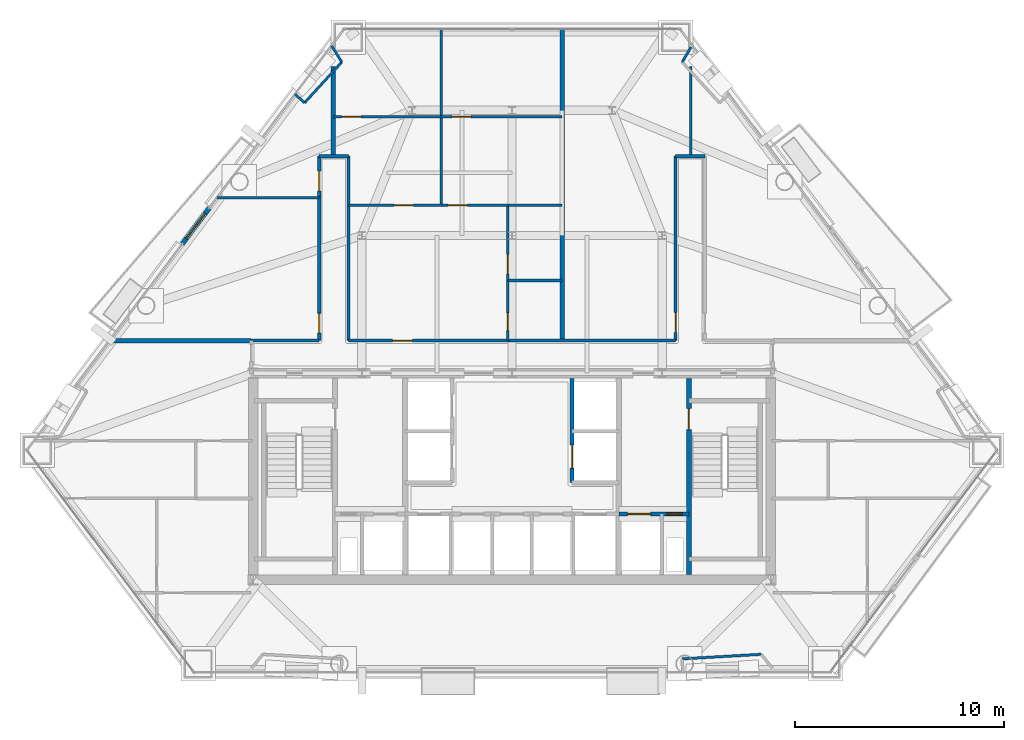
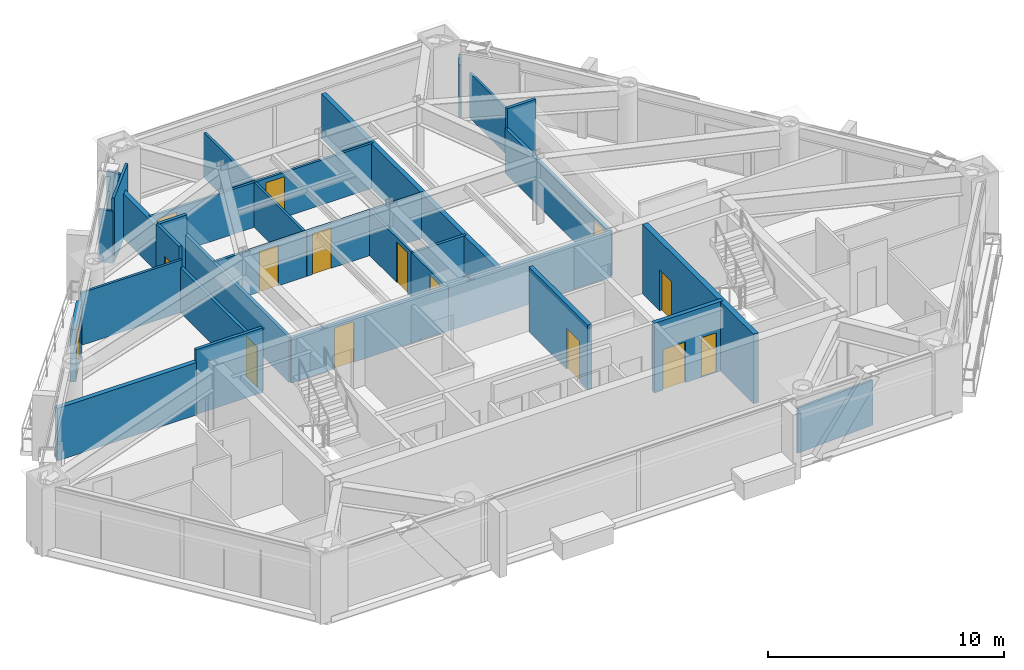
# One storey, part 7 of 10: 32 walls, 15 doors, 15 openings.
"""IFC4 building model written with IfcOpenShell, lengths in metres."""

from ifc_helpers import new_model, si_unit, direction, frame, frame_2d, origin, place, context, subcontext, project, spatial, rectangle, extrude, material, layer, layer_set, type_object, element, fill, save


model = new_model("IFC4")

# Units and contexts
model_context = context("Model", 3, precision=1e-05, world=origin(), true_north=direction((0.0, 1.0)))
body_context = subcontext(model_context, "Body", "Model", "MODEL_VIEW")
ifc_project = project(units=[si_unit("LENGTHUNIT", "METRE"), si_unit("AREAUNIT", "SQUARE_METRE"), si_unit("VOLUMEUNIT", "CUBIC_METRE"), si_unit("PLANEANGLEUNIT", "RADIAN"), si_unit("MASSUNIT", "GRAM", prefix="KILO")], contexts=[model_context])

# Site, building, storey
site_placement = place(None, origin())
site = spatial("IfcSite", under=ifc_project, at=site_placement, CompositionType="ELEMENT")
building_placement = place(site_placement, origin())
building = spatial("IfcBuilding", under=site, at=building_placement, Name="Talgorran Terracotta Tower", CompositionType="ELEMENT")
storey_placement = place(building_placement, frame((0.0, 0.0, 49.5)))
storey = spatial("IfcBuildingStorey", under=building, at=storey_placement, Name="L12", CompositionType="ELEMENT", Elevation=49.5)

# Wall, opening, door
ifc_material_1 = material(Name="Concrete C40/50", Category="concrete")
ifc_layer_1 = layer(ifc_material_1, 0.239990234375, Name="WT_BALCONY_SPAND")
ifc_layer_set_1 = layer_set([ifc_layer_1], Name="Concrete C40/50")
wall_type_1 = type_object("IfcWallType", Name="WT_BALCONY_SPAND", PredefinedType="STANDARD", material=ifc_layer_set_1)
wall_1_placement = place(storey_placement, frame((-14.518310546875, 3.71337890625, -0.014892578125), z_axis=(0.0, 0.0, 1.0), x_axis=(-0.601696267697, -0.79872498486, 0.0)))
wall_1 = element("IfcWall", 1, at=wall_1_placement, inside=storey, type_object=wall_type_1, Name="WL-L12-BALP-BAL-NW", PredefinedType="STANDARD", context=body_context, shape_type="SweptSolid", body=[
    extrude(rectangle(XDim=2.139892578125, YDim=0.239990234375, at=frame_2d((1.06982421875, 0.0))), origin(), (0.0, 0.0, 1.0), 2.728271484375),
])
opening_1_placement = place(wall_1_placement, frame((0.320068359375, 0.0, 0.014892578125)))
opening_1 = element("IfcOpeningElement", 2, at=opening_1_placement, cuts=wall_1, Name="Opening D-BAL-L12-2", PredefinedType="OPENING", context=body_context, shape_type="SweptSolid", body=[
    extrude(rectangle(XDim=1.506, YDim=2.203951171875, at=frame_2d((0.75, 1.10205078125))), frame((0.0, 0.1298828125, 0.0), z_axis=(0.0, -1.0, 0.0), x_axis=(1.0, 0.0, 0.0)), (0.0, 0.0, 1.0), 0.260009765625),
])
ifc_material_2 = material(Name="Thermally Broken Aluminium", Category="aluminium")
door_type_1 = type_object("IfcDoorType", Name="DT_BALC_1500", OperationType="SLIDING_TO_RIGHT", PredefinedType="DOOR", material=ifc_material_2)
door_1_placement = place(opening_1_placement, origin())
door_1 = element("IfcDoor", 3, at=door_1_placement, inside=storey, type_object=door_type_1, Name="DR-L12-BAL-BAL-NW", OperationType="SLIDING_TO_RIGHT", OverallHeight=2.199951171875, OverallWidth=1.5, PredefinedType="DOOR", context=body_context, shape_type="SweptSolid", body=[
    extrude(rectangle(XDim=1.5, YDim=2.199951171875, at=frame_2d((0.75, 1.10009765625))), frame((0.0, 0.02490234375, 0.0), z_axis=(0.0, -1.0, 0.0), x_axis=(1.0, 0.0, 0.0)), (0.0, 0.0, 1.0), 0.050048828125),
])
fill(opening_1, door_1)

# Wall, openings, doors
ifc_material_3 = material(Name="Concrete C50/60", Category="concrete")
ifc_layer_2 = layer(ifc_material_3, 0.199951171875, Name="WT_CORE_200")
ifc_layer_set_2 = layer_set([ifc_layer_2], Name="Concrete C50/60")
wall_type_2 = type_object("IfcWallType", Name="WT_CORE_200", PredefinedType="SOLIDWALL", material=ifc_layer_set_2)
wall_2_placement = place(storey_placement, frame((5.1201171875, -10.949951171875, 0.0), z_axis=(0.0, 0.0, 1.0), x_axis=(1.0, 0.0, 0.0)))
wall_2 = element("IfcWall", 4, at=wall_2_placement, inside=storey, type_object=wall_type_2, Name="WL-L12-CW-H-SBE", PredefinedType="SOLIDWALL", context=body_context, shape_type="SweptSolid", body=[
    extrude(rectangle(XDim=3.35986328125, YDim=0.199951171875, at=frame_2d((1.679931640625, 0.0))), origin(), (0.0, 0.0, 1.0), 3.60009765625),
])
opening_2_placement = place(wall_2_placement, frame((0.419921875, 0.0, 0.0)))
opening_2 = element("IfcOpeningElement", 5, at=opening_2_placement, cuts=wall_2, Name="Opening LD-FFL2", PredefinedType="OPENING", context=body_context, shape_type="SweptSolid", body=[
    extrude(rectangle(XDim=1.10609765625, YDim=2.10409765625, at=frame_2d((0.550048828125, 1.052001953125))), frame((0.0, 0.10986328125, 0.0), z_axis=(0.0, -1.0, 0.0), x_axis=(1.0, 0.0, 0.0)), (0.0, 0.0, 1.0), 0.219970703125),
])
opening_3_placement = place(wall_2_placement, frame((2.300048828125, 0.0, 0.0)))
opening_3 = element("IfcOpeningElement", 6, at=opening_3_placement, cuts=wall_2, Name="Opening DR-RSE", PredefinedType="OPENING", context=body_context, shape_type="SweptSolid", body=[
    extrude(rectangle(XDim=0.756, YDim=2.054048828125, at=frame_2d((0.375, 1.027099609375))), frame((0.0, 0.10986328125, 0.0), z_axis=(0.0, -1.0, 0.0), x_axis=(1.0, 0.0, 0.0)), (0.0, 0.0, 1.0), 0.219970703125),
])
ifc_material_4 = material(Name="Brushed Stainless Steel Grade 304", Category="steel")
door_type_2 = type_object("IfcDoorType", Name="DT_LIFT_LD1100", OperationType="DOUBLE_DOOR_SLIDING", PredefinedType="DOOR", material=ifc_material_4)
door_2_placement = place(opening_2_placement, origin())
door_2 = element("IfcDoor", 7, at=door_2_placement, inside=storey, type_object=door_type_2, Name="L12 Lift Landing Door LD-FFL2", OperationType="DOUBLE_DOOR_SLIDING", OverallHeight=2.10009765625, OverallWidth=1.10009765625, PredefinedType="DOOR", context=body_context, shape_type="SweptSolid", body=[
    extrude(rectangle(XDim=1.10009765625, YDim=2.10009765625, at=frame_2d((0.550048828125, 1.050048828125))), frame((0.0, 0.02490234375, 0.0), z_axis=(0.0, -1.0, 0.0), x_axis=(1.0, 0.0, 0.0)), (0.0, 0.0, 1.0), 0.050048828125),
])
fill(opening_2, door_2)
ifc_material_5 = material(Name="Fire-Rated Pressed Steel", Category="steel")
door_type_3 = type_object("IfcDoorType", Name="DT_RISER_750", OperationType="NOTDEFINED", PredefinedType="DOOR", material=ifc_material_5)
door_3_placement = place(opening_3_placement, origin())
door_3 = element("IfcDoor", 8, at=door_3_placement, inside=storey, type_object=door_type_3, Name="DR-RSE", OperationType="SINGLE_SWING_RIGHT", OverallHeight=2.050048828125, OverallWidth=0.75, PredefinedType="DOOR", context=body_context, shape_type="SweptSolid", body=[
    extrude(rectangle(XDim=0.75, YDim=2.050048828125, at=frame_2d((0.375, 1.02490234375))), frame((0.0, 0.02490234375, 0.0), z_axis=(0.0, -1.0, 0.0), x_axis=(1.0, 0.0, 0.0)), (0.0, 0.0, 1.0), 0.050048828125),
])
fill(opening_3, door_3)

# Wall, opening, door
wall_3_placement = place(storey_placement, frame((2.8798828125, -9.449951171875, 0.0), z_axis=(0.0, 0.0, 1.0), x_axis=(0.0, 1.0, 0.0)))
wall_3 = element("IfcWall", 9, at=wall_3_placement, inside=storey, type_object=wall_type_2, Name="WL-L12-CW-V-E3", PredefinedType="SOLIDWALL", context=body_context, shape_type="SweptSolid", body=[
    extrude(rectangle(XDim=5.0, YDim=0.199951171875, at=frame_2d((2.5, 0.0))), origin(), (0.0, 0.0, 1.0), 3.35009765625),
])
opening_4_placement = place(wall_3_placement, frame((0.699951171875, 0.0, 0.0)))
opening_4 = element("IfcOpeningElement", 10, at=opening_4_placement, cuts=wall_3, Name="Opening LD-PLM1", PredefinedType="OPENING", context=body_context, shape_type="SweptSolid", body=[
    extrude(rectangle(XDim=1.10609765625, YDim=2.10409765625, at=frame_2d((0.550048828125, 1.052001953125))), frame((0.0, 0.10986328125, 0.0), z_axis=(0.0, -1.0, 0.0), x_axis=(1.0, 0.0, 0.0)), (0.0, 0.0, 1.0), 0.219970703125),
])
door_4_placement = place(opening_4_placement, origin())
door_4 = element("IfcDoor", 11, at=door_4_placement, inside=storey, type_object=door_type_2, Name="L12 Lift Landing Door LD-PLM1", OperationType="DOUBLE_DOOR_SLIDING", OverallHeight=2.10009765625, OverallWidth=1.10009765625, PredefinedType="DOOR", context=body_context, shape_type="SweptSolid", body=[
    extrude(rectangle(XDim=1.10009765625, YDim=2.10009765625, at=frame_2d((0.550048828125, 1.050048828125))), frame((0.0, 0.02490234375, 0.0), z_axis=(0.0, -1.0, 0.0), x_axis=(1.0, 0.0, 0.0)), (0.0, 0.0, 1.0), 0.050048828125),
])
fill(opening_4, door_4)

ifc_layer_3 = layer(ifc_material_3, 0.25, Name="WT_CORE_250")
ifc_layer_set_3 = layer_set([ifc_layer_3], Name="Concrete C50/60")
wall_type_3 = type_object("IfcWallType", Name="WT_CORE_250", PredefinedType="SHEAR", material=ifc_layer_set_3)
wall_4_placement = place(storey_placement, frame((8.47998046875, -13.85009765625, 0.0), z_axis=(0.0, 0.0, 1.0), x_axis=(0.0, 1.0, 0.0)))
wall_4 = element("IfcWall", 12, at=wall_4_placement, inside=storey, type_object=wall_type_3, Name="WL-L12-CW-V-E1", PredefinedType="SHEAR", context=body_context, shape_type="SweptSolid", body=[
    extrude(rectangle(XDim=9.400146484375, YDim=0.25, at=frame_2d((4.7001953125, 0.0))), origin(), (0.0, 0.0, 1.0), 3.60009765625),
])
opening_5_placement = place(wall_4_placement, frame((6.949951171875, 0.0, 0.0)))
opening_5 = element("IfcOpeningElement", 13, at=opening_5_placement, cuts=wall_4, Name="Opening DR-ST02", PredefinedType="OPENING", context=body_context, shape_type="SweptSolid", body=[
    extrude(rectangle(XDim=1.006, YDim=2.10409765625, at=frame_2d((0.5, 1.052001953125))), frame((0.0, 0.135009765625, 0.0), z_axis=(0.0, -1.0, 0.0), x_axis=(1.0, 0.0, 0.0)), (0.0, 0.0, 1.0), 0.27001953125),
])
door_type_4 = type_object("IfcDoorType", Name="DT_FIRE_1000", OperationType="NOTDEFINED", PredefinedType="DOOR", material=ifc_material_5)
door_5_placement = place(opening_5_placement, origin())
door_5 = element("IfcDoor", 14, at=door_5_placement, inside=storey, type_object=door_type_4, Name="DR-ST02", OperationType="SINGLE_SWING_RIGHT", OverallHeight=2.10009765625, OverallWidth=1.0, PredefinedType="DOOR", context=body_context, shape_type="SweptSolid", body=[
    extrude(rectangle(XDim=1.0, YDim=2.10009765625, at=frame_2d((0.5, 1.050048828125))), frame((0.0, 0.02490234375, 0.0), z_axis=(0.0, -1.0, 0.0), x_axis=(1.0, 0.0, 0.0)), (0.0, 0.0, 1.0), 0.050048828125),
])
fill(opening_5, door_5)

ifc_material_6 = material(Name="Fire-Rated Steel Stud Plasterboard", Category="steel")
ifc_layer_4 = layer(ifc_material_6, 0.14990234375, Name="WT_FIRE_150")
ifc_layer_set_4 = layer_set([ifc_layer_4], Name="Fire-Rated Steel Stud Plasterboard")
wall_type_4 = type_object("IfcWallType", Name="WT_FIRE_150", PredefinedType="PARTITIONING", material=ifc_layer_set_4)
wall_5_placement = place(storey_placement, frame((7.840087890625, -2.639892578125, 0.0), z_axis=(0.0, 0.0, 1.0), x_axis=(0.0, 1.0, 0.0)))
wall_5 = element("IfcWall", 15, at=wall_5_placement, inside=storey, type_object=wall_type_4, Name="WL-L12-W-L12-R13", PredefinedType="PARTITIONING", context=body_context, shape_type="SweptSolid", body=[
    extrude(rectangle(XDim=8.83984375, YDim=0.14990234375, at=frame_2d((4.419921875, 0.0))), origin(), (0.0, 0.0, 1.0), 2.324951171875),
])
opening_6_placement = place(wall_5_placement, frame((0.39892578125, 0.0, 0.0)))
opening_6 = element("IfcOpeningElement", 16, at=opening_6_placement, cuts=wall_5, Name="Opening DR-L12-R20", PredefinedType="OPENING", context=body_context, shape_type="SweptSolid", body=[
    extrude(rectangle(XDim=0.955951171875, YDim=2.10409765625, at=frame_2d((0.47509765625, 1.052001953125))), frame((0.0, 0.0849609375, 0.0), z_axis=(0.0, -1.0, 0.0), x_axis=(1.0, 0.0, 0.0)), (0.0, 0.0, 1.0), 0.169921875),
])
ifc_material_7 = material(Name="Fire-Rated Timber Core", Category="wood")
door_type_5 = type_object("IfcDoorType", Name="DT_FIRE_950", OperationType="NOTDEFINED", PredefinedType="DOOR", material=ifc_material_7)
door_6_placement = place(opening_6_placement, origin())
door_6 = element("IfcDoor", 17, at=door_6_placement, inside=storey, type_object=door_type_5, Name="DR-L12-R20", OperationType="SINGLE_SWING_RIGHT", OverallHeight=2.10009765625, OverallWidth=0.949951171875, PredefinedType="DOOR", context=body_context, shape_type="SweptSolid", body=[
    extrude(rectangle(XDim=0.949951171875, YDim=2.10009765625, at=frame_2d((0.47509765625, 1.050048828125))), frame((0.0, 0.02490234375, 0.0), z_axis=(0.0, -1.0, 0.0), x_axis=(1.0, 0.0, 0.0)), (0.0, 0.0, 1.0), 0.050048828125),
])
fill(opening_6, door_6)

wall_6_placement = place(storey_placement, frame((-7.840087890625, -2.639892578125, 0.0), z_axis=(0.0, 0.0, 1.0), x_axis=(1.0, 0.0, 0.0)))
wall_6 = element("IfcWall", 18, at=wall_6_placement, inside=storey, type_object=wall_type_4, Name="WL-L12-W-L12-R09", PredefinedType="PARTITIONING", context=body_context, shape_type="SweptSolid", body=[
    extrude(rectangle(XDim=7.7001953125, YDim=0.14990234375, at=frame_2d((3.85009765625, 0.0))), origin(), (0.0, 0.0, 1.0), 2.324951171875),
])
opening_7_placement = place(wall_6_placement, frame((2.116943359375, 0.0, 0.0)))
opening_7 = element("IfcOpeningElement", 19, at=opening_7_placement, cuts=wall_6, Name="Opening DR-L12-R15", PredefinedType="OPENING", context=body_context, shape_type="SweptSolid", body=[
    extrude(rectangle(XDim=0.955951171875, YDim=2.10409765625, at=frame_2d((0.47509765625, 1.052001953125))), frame((0.0, 0.0849609375, 0.0), z_axis=(0.0, -1.0, 0.0), x_axis=(1.0, 0.0, 0.0)), (0.0, 0.0, 1.0), 0.169921875),
])
door_7_placement = place(opening_7_placement, origin())
door_7 = element("IfcDoor", 20, at=door_7_placement, inside=storey, type_object=door_type_5, Name="DR-L12-R15", OperationType="SINGLE_SWING_LEFT", OverallHeight=2.10009765625, OverallWidth=0.949951171875, PredefinedType="DOOR", context=body_context, shape_type="SweptSolid", body=[
    extrude(rectangle(XDim=0.949951171875, YDim=2.10009765625, at=frame_2d((0.47509765625, 1.050048828125))), frame((0.0, 0.02490234375, 0.0), z_axis=(0.0, -1.0, 0.0), x_axis=(1.0, 0.0, 0.0)), (0.0, 0.0, 1.0), 0.050048828125),
])
fill(opening_7, door_7)

wall_7_placement = place(storey_placement, frame((-9.239990234375, -2.639892578125, 0.0), z_axis=(0.0, 0.0, 1.0), x_axis=(0.0, 1.0, 0.0)))
wall_7 = element("IfcWall", 21, at=wall_7_placement, inside=storey, type_object=wall_type_4, Name="WL-L12-W-L12-R04", PredefinedType="PARTITIONING", context=body_context, shape_type="SweptSolid", body=[
    extrude(rectangle(XDim=6.89990234375, YDim=0.14990234375, at=frame_2d((3.449951171875, 0.0))), origin(), (0.0, 0.0, 1.0), 2.324951171875),
])
opening_8_placement = place(wall_7_placement, frame((0.359619140625, 0.0, 0.0)))
opening_8 = element("IfcOpeningElement", 22, at=opening_8_placement, cuts=wall_7, Name="Opening DR-L12-R11", PredefinedType="OPENING", context=body_context, shape_type="SweptSolid", body=[
    extrude(rectangle(XDim=0.955951171875, YDim=2.10409765625, at=frame_2d((0.47509765625, 1.052001953125))), frame((0.0, 0.0849609375, 0.0), z_axis=(0.0, -1.0, 0.0), x_axis=(1.0, 0.0, 0.0)), (0.0, 0.0, 1.0), 0.169921875),
])
door_8_placement = place(opening_8_placement, origin())
door_8 = element("IfcDoor", 23, at=door_8_placement, inside=storey, type_object=door_type_5, Name="DR-L12-R11", OperationType="SINGLE_SWING_LEFT", OverallHeight=2.10009765625, OverallWidth=0.949951171875, PredefinedType="DOOR", context=body_context, shape_type="SweptSolid", body=[
    extrude(rectangle(XDim=0.949951171875, YDim=2.10009765625, at=frame_2d((0.47509765625, 1.050048828125))), frame((0.0, 0.02490234375, 0.0), z_axis=(0.0, -1.0, 0.0), x_axis=(1.0, 0.0, 0.0)), (0.0, 0.0, 1.0), 0.050048828125),
])
fill(opening_8, door_8)

# Walls
wall_8_placement = place(storey_placement, frame((-7.840087890625, -2.639892578125, 0.0), z_axis=(0.0, 0.0, 1.0), x_axis=(0.0, 1.0, 0.0)))
element("IfcWall", 24, at=wall_8_placement, inside=storey, type_object=wall_type_4, Name="WL-L12-W-L12-R08", PredefinedType="PARTITIONING", context=body_context, shape_type="SweptSolid", body=[
    extrude(rectangle(XDim=8.83984375, YDim=0.14990234375, at=frame_2d((4.419921875, 0.0))), origin(), (0.0, 0.0, 1.0), 2.324951171875),
])
wall_9_placement = place(storey_placement, frame((-0.137939453125, -2.639892578125, 0.0), z_axis=(0.0, 0.0, 1.0), x_axis=(1.0, 0.0, 0.0)))
element("IfcWall", 25, at=wall_9_placement, inside=storey, type_object=wall_type_4, Name="WL-L12-W-L12-R12", PredefinedType="PARTITIONING", context=body_context, shape_type="SweptSolid", body=[
    extrude(rectangle(XDim=7.97802734375, YDim=0.14990234375, at=frame_2d((3.989013671875, 0.0))), origin(), (0.0, 0.0, 1.0), 2.324951171875),
])
wall_10_placement = place(storey_placement, frame((-12.5, -2.639892578125, 0.0), z_axis=(0.0, 0.0, 1.0), x_axis=(1.0, 0.0, 0.0)))
element("IfcWall", 26, at=wall_10_placement, inside=storey, type_object=wall_type_4, Name="WL-L12-W-L12-R03", PredefinedType="PARTITIONING", context=body_context, shape_type="SweptSolid", body=[
    extrude(rectangle(XDim=3.260009765625, YDim=0.14990234375, at=frame_2d((1.6298828125, 0.0))), origin(), (0.0, 0.0, 1.0), 3.35009765625),
])

# Wall, opening, door
wall_11_placement = place(storey_placement, frame((-9.239990234375, 4.261962890625, 0.0), z_axis=(0.0, 0.0, 1.0), x_axis=(0.0, 1.0, 0.0)))
wall_11 = element("IfcWall", 27, at=wall_11_placement, inside=storey, type_object=wall_type_4, Name="WL-L12-W-L12-R05", PredefinedType="PARTITIONING", context=body_context, shape_type="SweptSolid", body=[
    extrude(rectangle(XDim=1.93798828125, YDim=0.14990234375, at=frame_2d((0.968994140625, 0.0))), origin(), (0.0, 0.0, 1.0), 3.35009765625),
])
opening_9_placement = place(wall_11_placement, frame((0.27490234375, 0.0, 0.0)))
opening_9 = element("IfcOpeningElement", 28, at=opening_9_placement, cuts=wall_11, Name="Opening DR-L12-R12", PredefinedType="OPENING", context=body_context, shape_type="SweptSolid", body=[
    extrude(rectangle(XDim=0.955951171875, YDim=2.10409765625, at=frame_2d((0.47509765625, 1.052001953125))), frame((0.0, 0.0849609375, 0.0), z_axis=(0.0, -1.0, 0.0), x_axis=(1.0, 0.0, 0.0)), (0.0, 0.0, 1.0), 0.169921875),
])
door_9_placement = place(opening_9_placement, origin())
door_9 = element("IfcDoor", 29, at=door_9_placement, inside=storey, type_object=door_type_5, Name="DR-L12-R12", OperationType="SINGLE_SWING_RIGHT", OverallHeight=2.10009765625, OverallWidth=0.949951171875, PredefinedType="DOOR", context=body_context, shape_type="SweptSolid", body=[
    extrude(rectangle(XDim=0.949951171875, YDim=2.10009765625, at=frame_2d((0.47509765625, 1.050048828125))), frame((0.0, 0.02490234375, 0.0), z_axis=(0.0, -1.0, 0.0), x_axis=(1.0, 0.0, 0.0)), (0.0, 0.0, 1.0), 0.050048828125),
])
fill(opening_9, door_9)

# Walls
for number, where, z_axis, x_axis, name in (
    (30, (-9.239990234375, 6.199951171875, 0.0), (0.0, 0.0, 1.0), (1.0, 0.0, 0.0), "WL-L12-W-L12-R10"),
    (31, (7.840087890625, 6.199951171875, 0.0), (0.0, 0.0, 1.0), (1.0, 0.0, 0.0), "WL-L12-W-L12-R14"),
):
    element("IfcWall", number, at=place(storey_placement, frame(where, z_axis=z_axis, x_axis=x_axis)), inside=storey, type_object=wall_type_4, Name=name, PredefinedType="PARTITIONING", context=body_context, shape_type="SweptSolid", body=[
        extrude(rectangle(XDim=1.39990234375, YDim=0.14990234375, at=frame_2d((0.699951171875, 0.0))), origin(), (0.0, 0.0, 1.0), 3.35009765625),
    ])
ifc_material_8 = material(Name="Acoustic Masonry and Plasterboard", Category="masonry")
ifc_layer_5 = layer(ifc_material_8, 0.219970703125, Name="WT_PARTY_220")
ifc_layer_set_5 = layer_set([ifc_layer_5], Name="Acoustic Masonry and Plasterboard")
wall_type_5 = type_object("IfcWallType", Name="WT_PARTY_220", PredefinedType="PARTITIONING", material=ifc_layer_set_5)
wall_12_placement = place(storey_placement, frame((-19.3037109375, -2.639892578125, 0.0), z_axis=(0.0, 0.0, 1.0), x_axis=(1.0, 0.0, 0.0)))
element("IfcWall", 32, at=wall_12_placement, inside=storey, type_object=wall_type_5, Name="WL-L12-W-L12-R20", PredefinedType="PARTITIONING", context=body_context, shape_type="SweptSolid", body=[
    extrude(rectangle(XDim=6.8037109375, YDim=0.219970703125, at=frame_2d((3.40185546875, 0.0))), origin(), (0.0, 0.0, 1.0), 2.71337890625),
])
wall_13_placement = place(storey_placement, frame((2.39990234375, -2.639892578125, 0.0), z_axis=(0.0, 0.0, 1.0), x_axis=(0.0, 1.0, 0.0)))
element("IfcWall", 33, at=wall_13_placement, inside=storey, type_object=wall_type_5, Name="WL-L12-W-L12-R51", PredefinedType="PARTITIONING", context=body_context, shape_type="SweptSolid", body=[
    extrude(rectangle(XDim=14.945556640625, YDim=0.219970703125, at=frame_2d((7.47265625, 0.0))), origin(), (0.0, 0.0, 1.0), 2.324951171875),
])
wall_14_placement = place(storey_placement, frame((-8.56005859375, 6.199951171875, 0.0), z_axis=(0.0, 0.0, 1.0), x_axis=(0.0, 1.0, 0.0)))
element("IfcWall", 34, at=wall_14_placement, inside=storey, type_object=wall_type_5, Name="WL-L12-W-L12-R38", PredefinedType="PARTITIONING", context=body_context, shape_type="SweptSolid", body=[
    extrude(rectangle(XDim=4.300048828125, YDim=0.219970703125, at=frame_2d((2.14990234375, 0.0))), origin(), (0.0, 0.0, 1.0), 2.324951171875),
])

# Wall, opening, door
ifc_material_9 = material(Name="Insulated Steel Stud Plasterboard", Category="steel")
ifc_layer_6 = layer(ifc_material_9, 0.1201171875, Name="WT_PART_120")
ifc_layer_set_6 = layer_set([ifc_layer_6], Name="Insulated Steel Stud Plasterboard")
wall_type_6 = type_object("IfcWallType", Name="WT_PART_120", PredefinedType="PARTITIONING", material=ifc_layer_set_6)
wall_15_placement = place(storey_placement, frame((-3.39990234375, 8.10009765625, 0.0), z_axis=(0.0, 0.0, 1.0), x_axis=(1.0, 0.0, 0.0)))
wall_15 = element("IfcWall", 35, at=wall_15_placement, inside=storey, type_object=wall_type_6, Name="WL-L12-W-L12-R50", PredefinedType="PARTITIONING", context=body_context, shape_type="SweptSolid", body=[
    extrude(rectangle(XDim=5.7998046875, YDim=0.1201171875, at=frame_2d((2.89990234375, 0.0))), origin(), (0.0, 0.0, 1.0), 2.324951171875),
])
opening_10_placement = place(wall_15_placement, frame((0.52001953125, 0.0, 0.0)))
opening_10 = element("IfcOpeningElement", 36, at=opening_10_placement, cuts=wall_15, Name="Opening DR-L12-R19", PredefinedType="OPENING", context=body_context, shape_type="SweptSolid", body=[
    extrude(rectangle(XDim=0.925921875, YDim=2.10409765625, at=frame_2d((0.4599609375, 1.052001953125))), frame((0.0, 0.070068359375, 0.0), z_axis=(0.0, -1.0, 0.0), x_axis=(1.0, 0.0, 0.0)), (0.0, 0.0, 1.0), 0.14013671875),
])
ifc_material_10 = material(Name="Solid-Core Painted Timber", Category="wood")
door_type_6 = type_object("IfcDoorType", Name="DT_INT_920", OperationType="NOTDEFINED", PredefinedType="DOOR", material=ifc_material_10)
door_10_placement = place(opening_10_placement, origin())
door_10 = element("IfcDoor", 37, at=door_10_placement, inside=storey, type_object=door_type_6, Name="DR-L12-R19", OperationType="SINGLE_SWING_LEFT", OverallHeight=2.10009765625, OverallWidth=0.919921875, PredefinedType="DOOR", context=body_context, shape_type="SweptSolid", body=[
    extrude(rectangle(XDim=0.919921875, YDim=2.10009765625, at=frame_2d((0.4599609375, 1.050048828125))), frame((0.0, 0.02490234375, 0.0), z_axis=(0.0, -1.0, 0.0), x_axis=(1.0, 0.0, 0.0)), (0.0, 0.0, 1.0), 0.050048828125),
])
fill(opening_10, door_10)

wall_16_placement = place(storey_placement, frame((-8.56005859375, 8.10009765625, 0.0), z_axis=(0.0, 0.0, 1.0), x_axis=(1.0, 0.0, 0.0)))
wall_16 = element("IfcWall", 38, at=wall_16_placement, inside=storey, type_object=wall_type_6, Name="WL-L12-W-L12-R47", PredefinedType="PARTITIONING", context=body_context, shape_type="SweptSolid", body=[
    extrude(rectangle(XDim=5.16015625, YDim=0.1201171875, at=frame_2d((2.580078125, 0.0))), origin(), (0.0, 0.0, 1.0), 2.324951171875),
])
opening_11_placement = place(wall_16_placement, frame((0.397216796875, 0.0, 0.0)))
opening_11 = element("IfcOpeningElement", 39, at=opening_11_placement, cuts=wall_16, Name="Opening DR-L12-R17", PredefinedType="OPENING", context=body_context, shape_type="SweptSolid", body=[
    extrude(rectangle(XDim=0.925921875, YDim=2.10409765625, at=frame_2d((0.4599609375, 1.052001953125))), frame((0.0, 0.070068359375, 0.0), z_axis=(0.0, -1.0, 0.0), x_axis=(1.0, 0.0, 0.0)), (0.0, 0.0, 1.0), 0.14013671875),
])
door_11_placement = place(opening_11_placement, origin())
door_11 = element("IfcDoor", 40, at=door_11_placement, inside=storey, type_object=door_type_6, Name="DR-L12-R17", OperationType="SINGLE_SWING_LEFT", OverallHeight=2.10009765625, OverallWidth=0.919921875, PredefinedType="DOOR", context=body_context, shape_type="SweptSolid", body=[
    extrude(rectangle(XDim=0.919921875, YDim=2.10009765625, at=frame_2d((0.4599609375, 1.050048828125))), frame((0.0, 0.02490234375, 0.0), z_axis=(0.0, -1.0, 0.0), x_axis=(1.0, 0.0, 0.0)), (0.0, 0.0, 1.0), 0.050048828125),
])
fill(opening_11, door_11)

# Wall
wall_17_placement = place(storey_placement, frame((-14.152099609375, 4.199951171875, 0.0), z_axis=(0.0, 0.0, 1.0), x_axis=(1.0, 0.0, 0.0)))
element("IfcWall", 41, at=wall_17_placement, inside=storey, type_object=wall_type_6, Name="WL-L12-W-L12-R36", PredefinedType="PARTITIONING", context=body_context, shape_type="SweptSolid", body=[
    extrude(rectangle(XDim=4.912109375, YDim=0.1201171875, at=frame_2d((2.4560546875, 0.0))), origin(), (0.0, 0.0, 1.0), 2.71337890625),
])

# Wall, opening, door
wall_18_placement = place(storey_placement, frame((-7.840087890625, 3.840087890625, 0.0), z_axis=(0.0, 0.0, 1.0), x_axis=(1.0, 0.0, 0.0)))
wall_18 = element("IfcWall", 42, at=wall_18_placement, inside=storey, type_object=wall_type_6, Name="WL-L12-W-L12-R45", PredefinedType="PARTITIONING", context=body_context, shape_type="SweptSolid", body=[
    extrude(rectangle(XDim=4.5, YDim=0.1201171875, at=frame_2d((2.25, 0.0))), origin(), (0.0, 0.0, 1.0), 2.324951171875),
])
opening_12_placement = place(wall_18_placement, frame((2.1875, 0.0, 0.0)))
opening_12 = element("IfcOpeningElement", 43, at=opening_12_placement, cuts=wall_18, Name="Opening DR-L12-R16", PredefinedType="OPENING", context=body_context, shape_type="SweptSolid", body=[
    extrude(rectangle(XDim=0.925921875, YDim=2.10409765625, at=frame_2d((0.4599609375, 1.052001953125))), frame((0.0, 0.070068359375, 0.0), z_axis=(0.0, -1.0, 0.0), x_axis=(1.0, 0.0, 0.0)), (0.0, 0.0, 1.0), 0.14013671875),
])
door_12_placement = place(opening_12_placement, origin())
door_12 = element("IfcDoor", 44, at=door_12_placement, inside=storey, type_object=door_type_6, Name="DR-L12-R16", OperationType="SINGLE_SWING_RIGHT", OverallHeight=2.10009765625, OverallWidth=0.919921875, PredefinedType="DOOR", context=body_context, shape_type="SweptSolid", body=[
    extrude(rectangle(XDim=0.919921875, YDim=2.10009765625, at=frame_2d((0.4599609375, 1.050048828125))), frame((0.0, 0.02490234375, 0.0), z_axis=(0.0, -1.0, 0.0), x_axis=(1.0, 0.0, 0.0)), (0.0, 0.0, 1.0), 0.050048828125),
])
fill(opening_12, door_12)

# Walls
wall_19_placement = place(storey_placement, frame((8.56005859375, 6.199951171875, 0.0), z_axis=(0.0, 0.0, 1.0), x_axis=(0.0, 1.0, 0.0)))
element("IfcWall", 45, at=wall_19_placement, inside=storey, type_object=wall_type_6, Name="WL-L12-W-L12-R53", PredefinedType="PARTITIONING", context=body_context, shape_type="SweptSolid", body=[
    extrude(rectangle(XDim=4.300048828125, YDim=0.1201171875, at=frame_2d((2.14990234375, 0.0))), origin(), (0.0, 0.0, 1.0), 2.324951171875),
])
wall_20_placement = place(storey_placement, frame((-3.39990234375, 3.840087890625, 0.0), z_axis=(0.0, 0.0, 1.0), x_axis=(0.0, 1.0, 0.0)))
element("IfcWall", 46, at=wall_20_placement, inside=storey, type_object=wall_type_6, Name="WL-L12-W-L12-R48", PredefinedType="PARTITIONING", context=body_context, shape_type="SweptSolid", body=[
    extrude(rectangle(XDim=8.465576171875, YDim=0.1201171875, at=frame_2d((4.23291015625, 0.0))), origin(), (0.0, 0.0, 1.0), 2.324951171875),
])
wall_21_placement = place(storey_placement, frame((8.154052734375, -17.893310546875, 0.0), z_axis=(0.0, 0.0, 1.0), x_axis=(0.998357508525, 0.057291231189, 0.0)))
element("IfcWall", 47, at=wall_21_placement, inside=storey, type_object=wall_type_6, Name="WL-L12-BW-L12-06", PredefinedType="PARTITIONING", context=body_context, shape_type="SweptSolid", body=[
    extrude(rectangle(XDim=3.80126953125, YDim=0.1201171875, at=frame_2d((1.900634765625, 0.0))), origin(), (0.0, 0.0, 1.0), 2.324951171875),
])

# Wall, opening, door
wall_22_placement = place(storey_placement, frame((-0.199951171875, 0.239990234375, 0.0), z_axis=(0.0, 0.0, 1.0), x_axis=(0.0, 1.0, 0.0)))
wall_22 = element("IfcWall", 48, at=wall_22_placement, inside=storey, type_object=wall_type_6, Name="WL-L12-W-L12-R42", PredefinedType="PARTITIONING", context=body_context, shape_type="SweptSolid", body=[
    extrude(rectangle(XDim=3.60009765625, YDim=0.1201171875, at=frame_2d((1.800048828125, 0.0))), origin(), (0.0, 0.0, 1.0), 2.324951171875),
])
opening_13_placement = place(wall_22_placement, frame((0.320068359375, 0.0, 0.0)))
opening_13 = element("IfcOpeningElement", 49, at=opening_13_placement, cuts=wall_22, Name="Opening DR-L12-R14", PredefinedType="OPENING", context=body_context, shape_type="SweptSolid", body=[
    extrude(rectangle(XDim=0.925921875, YDim=2.10409765625, at=frame_2d((0.4599609375, 1.052001953125))), frame((0.0, 0.070068359375, 0.0), z_axis=(0.0, -1.0, 0.0), x_axis=(1.0, 0.0, 0.0)), (0.0, 0.0, 1.0), 0.14013671875),
])
door_13_placement = place(opening_13_placement, origin())
door_13 = element("IfcDoor", 50, at=door_13_placement, inside=storey, type_object=door_type_6, Name="DR-L12-R14", OperationType="SINGLE_SWING_RIGHT", OverallHeight=2.10009765625, OverallWidth=0.919921875, PredefinedType="DOOR", context=body_context, shape_type="SweptSolid", body=[
    extrude(rectangle(XDim=0.919921875, YDim=2.10009765625, at=frame_2d((0.4599609375, 1.050048828125))), frame((0.0, 0.02490234375, 0.0), z_axis=(0.0, -1.0, 0.0), x_axis=(1.0, 0.0, 0.0)), (0.0, 0.0, 1.0), 0.050048828125),
])
fill(opening_13, door_13)

wall_23_placement = place(storey_placement, frame((-3.337890625, 3.840087890625, 0.0), z_axis=(0.0, 0.0, 1.0), x_axis=(1.0, 0.0, 0.0)))
wall_23 = element("IfcWall", 51, at=wall_23_placement, inside=storey, type_object=wall_type_6, Name="WL-L12-W-L12-R46", PredefinedType="PARTITIONING", context=body_context, shape_type="SweptSolid", body=[
    extrude(rectangle(XDim=3.137939453125, YDim=0.1201171875, at=frame_2d((1.56884765625, 0.0))), origin(), (0.0, 0.0, 1.0), 2.324951171875),
])
opening_14_placement = place(wall_23_placement, frame((0.275390625, 0.0, 0.0)))
opening_14 = element("IfcOpeningElement", 52, at=opening_14_placement, cuts=wall_23, Name="Opening DR-L12-R18", PredefinedType="OPENING", context=body_context, shape_type="SweptSolid", body=[
    extrude(rectangle(XDim=0.925921875, YDim=2.10409765625, at=frame_2d((0.4599609375, 1.052001953125))), frame((0.0, 0.070068359375, 0.0), z_axis=(0.0, -1.0, 0.0), x_axis=(1.0, 0.0, 0.0)), (0.0, 0.0, 1.0), 0.14013671875),
])
door_14_placement = place(opening_14_placement, origin())
door_14 = element("IfcDoor", 53, at=door_14_placement, inside=storey, type_object=door_type_6, Name="DR-L12-R18", OperationType="SINGLE_SWING_RIGHT", OverallHeight=2.10009765625, OverallWidth=0.919921875, PredefinedType="DOOR", context=body_context, shape_type="SweptSolid", body=[
    extrude(rectangle(XDim=0.919921875, YDim=2.10009765625, at=frame_2d((0.4599609375, 1.050048828125))), frame((0.0, 0.02490234375, 0.0), z_axis=(0.0, -1.0, 0.0), x_axis=(1.0, 0.0, 0.0)), (0.0, 0.0, 1.0), 0.050048828125),
])
fill(opening_14, door_14)

# Walls
wall_24_placement = place(storey_placement, frame((-8.1591796875, 10.712158203125, 0.0), z_axis=(0.0, 0.0, 1.0), x_axis=(-0.675323360741, -0.737521768111, 0.0)))
element("IfcWall", 54, at=wall_24_placement, inside=storey, type_object=wall_type_6, Name="WL-L12-BW-L12-14", PredefinedType="PARTITIONING", context=body_context, shape_type="SweptSolid", body=[
    extrude(rectangle(XDim=2.6455078125, YDim=0.1201171875, at=frame_2d((1.32275390625, 0.0))), origin(), (0.0, 0.0, 1.0), 3.35009765625),
])
wall_25_placement = place(storey_placement, frame((-0.199951171875, 3.840087890625, 0.0), z_axis=(0.0, 0.0, 1.0), x_axis=(1.0, 0.0, 0.0)))
element("IfcWall", 55, at=wall_25_placement, inside=storey, type_object=wall_type_6, Name="WL-L12-W-L12-R43", PredefinedType="PARTITIONING", context=body_context, shape_type="SweptSolid", body=[
    extrude(rectangle(XDim=2.599853515625, YDim=0.1201171875, at=frame_2d((1.2998046875, 0.0))), origin(), (0.0, 0.0, 1.0), 2.324951171875),
])
wall_26_placement = place(storey_placement, frame((-8.647216796875, 11.491943359375, 0.0), z_axis=(0.0, 0.0, 1.0), x_axis=(0.530523663635, -0.847670125888, 0.0)))
element("IfcWall", 56, at=wall_26_placement, inside=storey, type_object=wall_type_6, Name="WL-L12-BW-L12-13", PredefinedType="PARTITIONING", context=body_context, shape_type="SweptSolid", body=[
    extrude(rectangle(XDim=0.919921875, YDim=0.1201171875, at=frame_2d((0.4599609375, 0.0))), origin(), (0.0, 0.0, 1.0), 2.71337890625),
])
wall_27_placement = place(storey_placement, frame((8.1591796875, 10.712158203125, 0.0), z_axis=(0.0, 0.0, 1.0), x_axis=(0.506790466981, 0.862069267854, 0.0)))
element("IfcWall", 57, at=wall_27_placement, inside=storey, type_object=wall_type_6, Name="WL-L12-BW-L12-18", PredefinedType="PARTITIONING", context=body_context, shape_type="SweptSolid", body=[
    extrude(rectangle(XDim=0.836181640625, YDim=0.1201171875, at=frame_2d((0.41796875, 0.0))), origin(), (0.0, 0.0, 1.0), 2.71337890625),
])
wall_28_placement = place(storey_placement, frame((-9.94580078125, 8.760986328125, 0.0), z_axis=(0.0, 0.0, 1.0), x_axis=(-0.737320634479, 0.675542953462, 0.0)))
element("IfcWall", 58, at=wall_28_placement, inside=storey, type_object=wall_type_6, Name="WL-L12-BW-L12-15", PredefinedType="PARTITIONING", context=body_context, shape_type="SweptSolid", body=[
    extrude(rectangle(XDim=0.608642578125, YDim=0.1201171875, at=frame_2d((0.30419921875, 0.0))), origin(), (0.0, 0.0, 1.0), 2.71337890625),
])

# Wall, opening, door
ifc_material_11 = material(Name="Moisture-Resistant Stud Wall")
ifc_layer_7 = layer(ifc_material_11, 0.135009765625, Name="WT_PART_135")
ifc_layer_set_7 = layer_set([ifc_layer_7], Name="Moisture-Resistant Stud Wall")
wall_type_7 = type_object("IfcWallType", Name="WT_PART_135", PredefinedType="PARTITIONING", material=ifc_layer_set_7)
wall_29_placement = place(storey_placement, frame((-0.199951171875, -2.639892578125, 0.0), z_axis=(0.0, 0.0, 1.0), x_axis=(0.0, 1.0, 0.0)))
wall_29 = element("IfcWall", 59, at=wall_29_placement, inside=storey, type_object=wall_type_7, Name="WL-L12-W-L12-R40", PredefinedType="PARTITIONING", context=body_context, shape_type="SweptSolid", body=[
    extrude(rectangle(XDim=2.8798828125, YDim=0.135009765625, at=frame_2d((1.43994140625, 0.0))), origin(), (0.0, 0.0, 1.0), 2.324951171875),
])
opening_15_placement = place(wall_29_placement, frame((0.47802734375, 0.0, 0.0)))
opening_15 = element("IfcOpeningElement", 60, at=opening_15_placement, cuts=wall_29, Name="Opening DR-L12-R13", PredefinedType="OPENING", context=body_context, shape_type="SweptSolid", body=[
    extrude(rectangle(XDim=0.85609765625, YDim=2.10409765625, at=frame_2d((0.425048828125, 1.052001953125))), frame((0.0, 0.07763671875, 0.0), z_axis=(0.0, -1.0, 0.0), x_axis=(1.0, 0.0, 0.0)), (0.0, 0.0, 1.0), 0.155029296875),
])
ifc_material_12 = material(Name="Moisture-Resistant Solid Timber", Category="wood")
door_type_7 = type_object("IfcDoorType", Name="DT_INT_850", OperationType="NOTDEFINED", PredefinedType="DOOR", material=ifc_material_12)
door_15_placement = place(opening_15_placement, origin())
door_15 = element("IfcDoor", 61, at=door_15_placement, inside=storey, type_object=door_type_7, Name="DR-L12-R13", OperationType="SINGLE_SWING_LEFT", OverallHeight=2.10009765625, OverallWidth=0.85009765625, PredefinedType="DOOR", context=body_context, shape_type="SweptSolid", body=[
    extrude(rectangle(XDim=0.85009765625, YDim=2.10009765625, at=frame_2d((0.425048828125, 1.050048828125))), frame((0.0, 0.02490234375, 0.0), z_axis=(0.0, -1.0, 0.0), x_axis=(1.0, 0.0, 0.0)), (0.0, 0.0, 1.0), 0.050048828125),
])
fill(opening_15, door_15)

# Wall
wall_30_placement = place(storey_placement, frame((-0.199951171875, 0.239990234375, 0.0), z_axis=(0.0, 0.0, 1.0), x_axis=(1.0, 0.0, 0.0)))
element("IfcWall", 62, at=wall_30_placement, inside=storey, type_object=wall_type_7, Name="WL-L12-W-L12-R39", PredefinedType="PARTITIONING", context=body_context, shape_type="SweptSolid", body=[
    extrude(rectangle(XDim=2.599853515625, YDim=0.135009765625, at=frame_2d((1.2998046875, 0.0))), origin(), (0.0, 0.0, 1.0), 2.324951171875),
])

save(model, "model.ifc")
